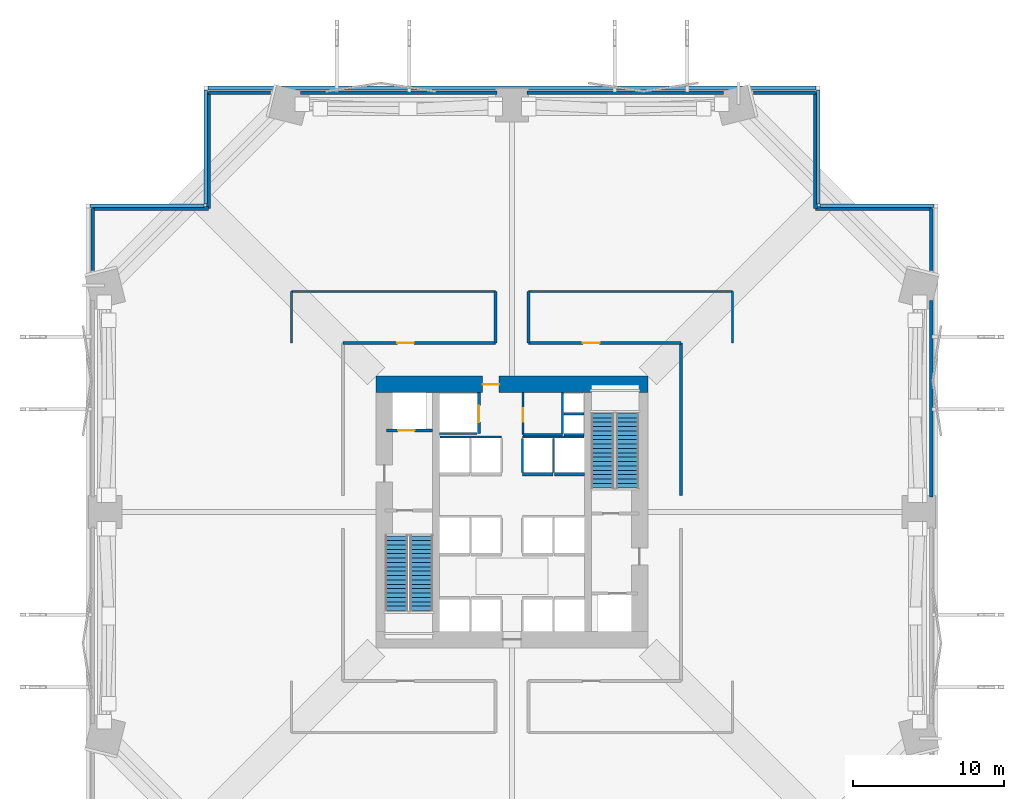
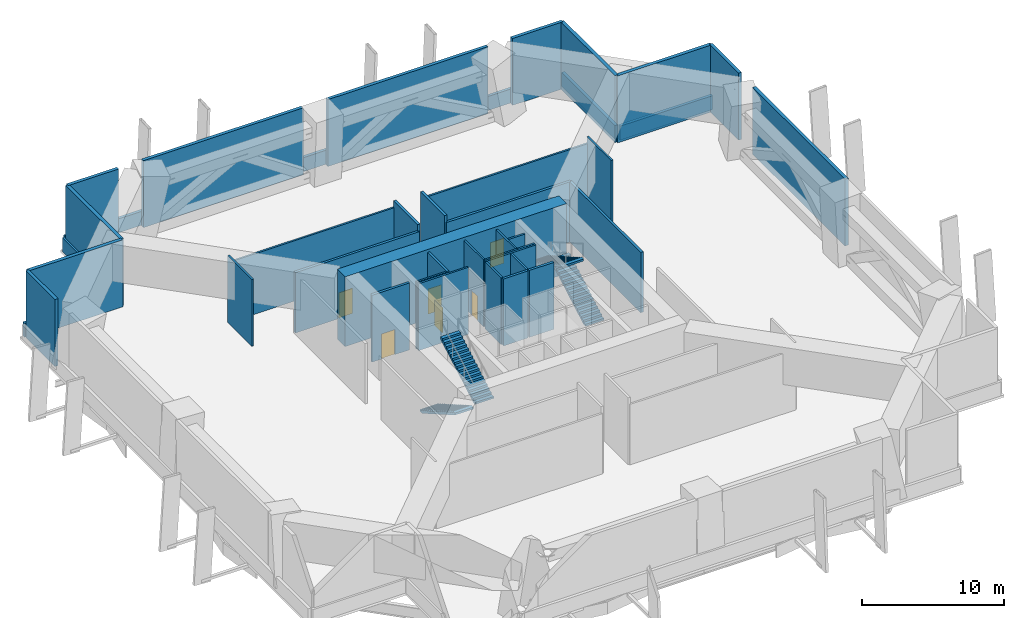
# One storey, part 4 of 6: 40 walls, 6 doors, 4 stair flights, 6 openings, 2 elements without a shape of their own.
"""IFC4 building model written with IfcOpenShell, lengths in metres."""

from ifc_helpers import new_model, si_unit, direction, frame, frame_2d, origin, place, context, subcontext, project, spatial, polyline, rectangle, outline, extrude, material, layer, layer_set, type_object, element, fill, aggregate, save


model = new_model("IFC4")

# Units and contexts
model_context = context("Model", 3, precision=1e-05, world=origin(), true_north=direction((0.0, 1.0)))
body_context = subcontext(model_context, "Body", "Model", "MODEL_VIEW")
ifc_project = project(units=[si_unit("LENGTHUNIT", "METRE"), si_unit("AREAUNIT", "SQUARE_METRE"), si_unit("VOLUMEUNIT", "CUBIC_METRE"), si_unit("PLANEANGLEUNIT", "RADIAN"), si_unit("MASSUNIT", "GRAM", prefix="KILO")], contexts=[model_context])

# Site, building, storey
site_placement = place(None, origin())
site = spatial("IfcSite", under=ifc_project, at=site_placement, CompositionType="ELEMENT")
building_placement = place(site_placement, origin())
building = spatial("IfcBuilding", under=site, at=building_placement, Name="Belovzor Exchange Tower", CompositionType="ELEMENT")
storey_placement = place(building_placement, frame((0.0, 0.0, 24.0)))
storey = spatial("IfcBuildingStorey", under=building, at=storey_placement, Name="L05", CompositionType="ELEMENT", Elevation=24.0)

# Wall, opening, door
ifc_material_1 = material(Name="Fire-Rated Gypsum Block and Mineral Wool", Category="gypsum")
ifc_layer_1 = layer(ifc_material_1, 0.14990234375)
ifc_layer_set_1 = layer_set([ifc_layer_1], Name="Fire-Rated Gypsum Block and Mineral Wool")
wall_type_1 = type_object("IfcWallType", Name="Fire-Rated Gypsum Block Corridor Wall 150", PredefinedType="PARTITIONING", material=ifc_layer_set_1)
wall_1_placement = place(storey_placement, frame((29.52490234375, 33.925048828125, 0.0), z_axis=(0.0, 0.0, 1.0), x_axis=(0.0, 1.0, 0.0)))
wall_1 = element("IfcWall", 1, at=wall_1_placement, inside=storey, type_object=wall_type_1, Name="W-P150 Partition Wall W-CRV-L05-W", PredefinedType="PARTITIONING", context=body_context, shape_type="SweptSolid", body=[
    extrude(rectangle(XDim=2.77490234375, YDim=0.14990234375, at=frame_2d((1.387451171875, 0.0))), origin(), (0.0, 0.0, 1.0), 5.75),
])
opening_1_placement = place(wall_1_placement, frame((0.85009765625, 0.0, 0.0)))
opening_1 = element("IfcOpeningElement", 2, at=opening_1_placement, cuts=wall_1, Name="Opening D-FD60-090", PredefinedType="OPENING", context=body_context, shape_type="SweptSolid", body=[
    extrude(rectangle(XDim=0.89990234375, YDim=2.10009765625, at=frame_2d((0.449951171875, 1.050048828125))), frame((0.0, 0.0849609375, 0.0), z_axis=(0.0, -1.0, 0.0), x_axis=(1.0, 0.0, 0.0)), (0.0, 0.0, 1.0), 0.169921875),
])
ifc_material_2 = material(Name="Acoustic Timber Fire Leaf", Category="wood")
door_type_1 = type_object("IfcDoorType", Name="Core Service & Restroom Fire Door 900x2100", OperationType="NOTDEFINED", PredefinedType="DOOR", material=ifc_material_2)
door_1_placement = place(opening_1_placement, origin())
door_1 = element("IfcDoor", 3, at=door_1_placement, inside=storey, type_object=door_type_1, Name="D-FD60-090 Core Service & Restroom Fire Door 900x2100", OperationType="SINGLE_SWING_LEFT", OverallHeight=2.10009765625, OverallWidth=0.89990234375, PredefinedType="DOOR", context=body_context, shape_type="SweptSolid", body=[
    extrude(rectangle(XDim=0.89990234375, YDim=2.10009765625, at=frame_2d((0.449951171875, 1.050048828125))), frame((0.0, 0.02490234375, 0.0), z_axis=(0.0, -1.0, 0.0), x_axis=(1.0, 0.0, 0.0)), (0.0, 0.0, 1.0), 0.050048828125),
])
fill(opening_1, door_1)

# Walls
wall_2_placement = place(storey_placement, frame((29.52490234375, 33.925048828125, 0.0), z_axis=(0.0, 0.0, 1.0), x_axis=(1.0, 0.0, 0.0)))
element("IfcWall", 4, at=wall_2_placement, inside=storey, type_object=wall_type_1, Name="W-P150 Partition Wall W-CRV-L05-S", PredefinedType="PARTITIONING", context=body_context, shape_type="SweptSolid", body=[
    extrude(rectangle(XDim=2.625, YDim=0.14990234375, at=frame_2d((1.3125, 0.0))), origin(), (0.0, 0.0, 1.0), 5.75),
])
wall_3_placement = place(storey_placement, frame((14.199951171875, 40.0, 0.0), z_axis=(0.0, 0.0, 1.0), x_axis=(0.0, 1.0, 0.0)))
element("IfcWall", 5, at=wall_3_placement, inside=storey, type_object=wall_type_1, Name="W-P150 Partition Wall W-L05-Q3W", PredefinedType="PARTITIONING", context=body_context, shape_type="SweptSolid", body=[
    extrude(rectangle(XDim=3.39990234375, YDim=0.14990234375, at=frame_2d((1.699951171875, 0.0))), origin(), (0.0, 0.0, 1.0), 5.75),
])
for number, where, z_axis, x_axis, name in (
    (6, (14.199951171875, 43.39990234375, 0.0), (0.0, 0.0, 1.0), (1.0, 0.0, 0.0), "W-P150 Partition Wall W-L05-Q3N"),
    (7, (29.89990234375, 43.39990234375, 0.0), (0.0, 0.0, 1.0), (1.0, 0.0, 0.0), "W-P150 Partition Wall W-L05-Q4N"),
):
    element("IfcWall", number, at=place(storey_placement, frame(where, z_axis=z_axis, x_axis=x_axis)), inside=storey, type_object=wall_type_1, Name=name, PredefinedType="PARTITIONING", context=body_context, shape_type="SweptSolid", body=[
        extrude(rectangle(XDim=13.5, YDim=0.14990234375, at=frame_2d((6.75, 0.0))), origin(), (0.0, 0.0, 1.0), 5.18505859375),
    ])
wall_4_placement = place(storey_placement, frame((43.39990234375, 40.0, 0.0), z_axis=(0.0, 0.0, 1.0), x_axis=(0.0, 1.0, 0.0)))
element("IfcWall", 8, at=wall_4_placement, inside=storey, type_object=wall_type_1, Name="W-P150 Partition Wall W-L05-Q4E", PredefinedType="PARTITIONING", context=body_context, shape_type="SweptSolid", body=[
    extrude(rectangle(XDim=3.39990234375, YDim=0.14990234375, at=frame_2d((1.699951171875, 0.0))), origin(), (0.0, 0.0, 1.0), 5.75),
])
ifc_material_3 = material(Name="Precast concrete C40/50", Category="concrete")
ifc_layer_2 = layer(ifc_material_3, 0.280029296875)
ifc_layer_set_2 = layer_set([ifc_layer_2], Name="Precast concrete C40/50")
wall_type_2 = type_object("IfcWallType", Name="Precast Concrete Notched Corner Frame Wall 280", PredefinedType="SOLIDWALL", material=ifc_layer_set_2)
wall_5_placement = place(storey_placement, frame((1.030029296875, 48.89990234375, 0.0), z_axis=(0.0, 0.0, 1.0), x_axis=(1.0, 0.0, 0.0)))
element("IfcWall", 9, at=wall_5_placement, inside=storey, type_object=wall_type_2, Name="W-CRN280 Precast Concrete Notched Corner Frame Wall 280 L05", PredefinedType="SOLIDWALL", context=body_context, shape_type="SweptSolid", body=[
    extrude(rectangle(XDim=7.669921875, YDim=0.280029296875, at=frame_2d((3.8349609375, 0.0))), origin(), (0.0, 0.0, 1.0), 5.75),
])
for number, where, z_axis, x_axis, name in (
    (10, (8.699951171875, 48.89990234375, 0.0), (0.0, 0.0, 1.0), (0.0, 1.0, 0.0), "W-CRN280 Precast Concrete Notched Corner Frame Wall 280 L05"),
    (11, (48.89990234375, 56.570068359375, 0.0), (0.0, 0.0, 1.0), (0.0, -1.0, 0.0), "W-CRN280 Precast Concrete Notched Corner Frame Wall 280 L05"),
    (12, (48.89990234375, 48.89990234375, 0.0), (0.0, 0.0, 1.0), (1.0, 0.0, 0.0), "W-CRN280 Precast Concrete Notched Corner Frame Wall 280 L05"),
):
    element("IfcWall", number, at=place(storey_placement, frame(where, z_axis=z_axis, x_axis=x_axis)), inside=storey, type_object=wall_type_2, Name=name, PredefinedType="SOLIDWALL", context=body_context, shape_type="SweptSolid", body=[
        extrude(rectangle(XDim=7.670166015625, YDim=0.280029296875, at=frame_2d((3.8349609375, 0.0))), origin(), (0.0, 0.0, 1.0), 5.75),
    ])
ifc_material_4 = material(Name="Precast concrete C40/50", Category="concrete")
ifc_layer_3 = layer(ifc_material_4, 0.260009765625)
ifc_layer_set_3 = layer_set([ifc_layer_3], Name="Precast concrete C40/50")
wall_type_3 = type_object("IfcWallType", Name="Precast Concrete Perimeter Loggia Frame Wall 260", PredefinedType="SOLIDWALL", material=ifc_layer_set_3)
wall_6_placement = place(storey_placement, frame((8.699951171875, 56.570068359375, 0.0), z_axis=(0.0, 0.0, 1.0), x_axis=(1.0, 0.0, 0.0)))
element("IfcWall", 13, at=wall_6_placement, inside=storey, type_object=wall_type_3, Name="W-EXT260 Precast Concrete Perimeter Loggia Frame Wall 260 L05", PredefinedType="SOLIDWALL", context=body_context, shape_type="SweptSolid", body=[
    extrude(rectangle(XDim=4.10009765625, YDim=0.260009765625, at=frame_2d((2.050048828125, 0.0))), origin(), (0.0, 0.0, 1.0), 5.75),
])
for number, where, z_axis, x_axis, name in (
    (14, (14.800048828125, 56.570068359375, 0.0), (0.0, 0.0, 1.0), (1.0, 0.0, 0.0), "W-EXT260 Precast Concrete Perimeter Loggia Frame Wall 260 L05"),
    (15, (29.800048828125, 56.570068359375, 0.0), (0.0, 0.0, 1.0), (1.0, 0.0, 0.0), "W-EXT260 Precast Concrete Perimeter Loggia Frame Wall 260 L05"),
):
    element("IfcWall", number, at=place(storey_placement, frame(where, z_axis=z_axis, x_axis=x_axis)), inside=storey, type_object=wall_type_3, Name=name, PredefinedType="SOLIDWALL", context=body_context, shape_type="SweptSolid", body=[
        extrude(rectangle(XDim=13.0, YDim=0.260009765625, at=frame_2d((6.5, 0.0))), origin(), (0.0, 0.0, 1.0), 5.75),
    ])
for number, where, z_axis, x_axis, name in (
    (16, (44.800048828125, 56.570068359375, 0.0), (0.0, 0.0, 1.0), (1.0, 0.0, 0.0), "W-EXT260 Precast Concrete Perimeter Loggia Frame Wall 260 L05"),
    (17, (1.030029296875, 44.800048828125, 0.0), (0.0, 0.0, 1.0), (0.0, 1.0, 0.0), "W-EXT260 Precast Concrete Perimeter Loggia Frame Wall 260 L05"),
):
    element("IfcWall", number, at=place(storey_placement, frame(where, z_axis=z_axis, x_axis=x_axis)), inside=storey, type_object=wall_type_3, Name=name, PredefinedType="SOLIDWALL", context=body_context, shape_type="SweptSolid", body=[
        extrude(rectangle(XDim=4.099853515625, YDim=0.260009765625, at=frame_2d((2.0498046875, 0.0))), origin(), (0.0, 0.0, 1.0), 5.75),
    ])
wall_7_placement = place(storey_placement, frame((56.570068359375, 42.800048828125, 0.0), z_axis=(0.0, 0.0, 1.0), x_axis=(0.0, -1.0, 0.0)))
element("IfcWall", 18, at=wall_7_placement, inside=storey, type_object=wall_type_3, Name="W-EXT260 Precast Concrete Perimeter Loggia Frame Wall 260 L05", PredefinedType="SOLIDWALL", context=body_context, shape_type="SweptSolid", body=[
    extrude(rectangle(XDim=13.0, YDim=0.260009765625, at=frame_2d((6.5, 0.0))), origin(), (0.0, 0.0, 1.0), 5.75),
])
wall_8_placement = place(storey_placement, frame((56.570068359375, 48.89990234375, 0.0), z_axis=(0.0, 0.0, 1.0), x_axis=(0.0, -1.0, 0.0)))
element("IfcWall", 19, at=wall_8_placement, inside=storey, type_object=wall_type_3, Name="W-EXT260 Precast Concrete Perimeter Loggia Frame Wall 260 L05", PredefinedType="SOLIDWALL", context=body_context, shape_type="SweptSolid", body=[
    extrude(rectangle(XDim=4.099853515625, YDim=0.260009765625, at=frame_2d((2.0498046875, 0.0))), origin(), (0.0, 0.0, 1.0), 5.75),
])
ifc_material_5 = material(Name="Precast concrete C40/50", Category="concrete")
ifc_layer_4 = layer(ifc_material_5, 0.239990234375)
ifc_layer_set_4 = layer_set([ifc_layer_4], Name="Precast concrete C40/50")
wall_type_4 = type_object("IfcWallType", Name="Precast Stone Setback Roof Parapet Wall 240", PredefinedType="PARAPET", material=ifc_layer_set_4)
for number, where, z_axis, x_axis, name in (
    (20, (56.7451171875, 49.080078125, 0.0), (0.0, 0.0, 1.0), (-1.0, 0.0, 0.0), "W-PAR240 Precast Stone Setback Roof Parapet Wall 240 L05"),
    (21, (49.080078125, 49.215087890625, 0.0), (0.0, 0.0, 1.0), (0.0, 1.0, 0.0), "W-PAR240 Precast Stone Setback Roof Parapet Wall 240 L05"),
):
    element("IfcWall", number, at=place(storey_placement, frame(where, z_axis=z_axis, x_axis=x_axis)), inside=storey, type_object=wall_type_4, Name=name, PredefinedType="PARAPET", context=body_context, shape_type="SweptSolid", body=[
        extrude(rectangle(XDim=7.530029296875, YDim=0.239990234375, at=frame_2d((3.76513671875, 0.0))), origin(), (0.0, 0.0, 1.0), 1.199951171875),
    ])
wall_9_placement = place(storey_placement, frame((48.945068359375, 56.8798828125, 0.0), z_axis=(0.0, 0.0, 1.0), x_axis=(-1.0, 0.0, 0.0)))
element("IfcWall", 22, at=wall_9_placement, inside=storey, type_object=wall_type_4, Name="W-PAR240 Precast Stone Setback Roof Parapet Wall 240 L05", PredefinedType="PARAPET", context=body_context, shape_type="SweptSolid", body=[
    extrude(rectangle(XDim=40.2900390625, YDim=0.239990234375, at=frame_2d((20.14501953125, 0.0))), origin(), (0.0, 0.0, 1.0), 1.199951171875),
])
for number, where, z_axis, x_axis, name in (
    (23, (8.52001953125, 56.7451171875, 0.0), (0.0, 0.0, 1.0), (0.0, -1.0, 0.0), "W-PAR240 Precast Stone Setback Roof Parapet Wall 240 L05"),
    (24, (8.385009765625, 49.080078125, 0.0), (0.0, 0.0, 1.0), (-1.0, 0.0, 0.0), "W-PAR240 Precast Stone Setback Roof Parapet Wall 240 L05"),
):
    element("IfcWall", number, at=place(storey_placement, frame(where, z_axis=z_axis, x_axis=x_axis)), inside=storey, type_object=wall_type_4, Name=name, PredefinedType="PARAPET", context=body_context, shape_type="SweptSolid", body=[
        extrude(rectangle(XDim=7.530029296875, YDim=0.239990234375, at=frame_2d((3.76513671875, 0.0))), origin(), (0.0, 0.0, 1.0), 1.199951171875),
    ])

# Wall, opening, door
ifc_material_6 = material(Name="Concrete C40/50", Category="concrete")
ifc_layer_5 = layer(ifc_material_6, 0.199951171875)
ifc_layer_set_5 = layer_set([ifc_layer_5], Name="Concrete C40/50")
wall_type_5 = type_object("IfcWallType", Name="Reinforced Concrete Compartment Wall 200", PredefinedType="PARTITIONING", material=ifc_layer_set_5)
wall_10_placement = place(storey_placement, frame((17.60009765625, 40.0, 0.0), z_axis=(0.0, 0.0, 1.0), x_axis=(1.0, 0.0, 0.0)))
wall_10 = element("IfcWall", 25, at=wall_10_placement, inside=storey, type_object=wall_type_5, Name="W-C200 Partition Wall W-L05-PCN", PredefinedType="PARTITIONING", context=body_context, shape_type="SweptSolid", body=[
    extrude(rectangle(XDim=10.099853515625, YDim=0.199951171875, at=frame_2d((5.0498046875, 0.0))), origin(), (0.0, 0.0, 1.0), 5.18505859375),
])
opening_2_placement = place(wall_10_placement, frame((3.60009765625, 0.0, 0.0)))
opening_2 = element("IfcOpeningElement", 26, at=opening_2_placement, cuts=wall_10, Name="Opening D-FD90-110", PredefinedType="OPENING", context=body_context, shape_type="SweptSolid", body=[
    extrude(rectangle(XDim=1.10009765625, YDim=2.14990234375, at=frame_2d((0.550048828125, 1.074951171875))), frame((0.0, 0.10986328125, 0.0), z_axis=(0.0, -1.0, 0.0), x_axis=(1.0, 0.0, 0.0)), (0.0, 0.0, 1.0), 0.219970703125),
])
ifc_material_7 = material(Name="Fire-Rated Galvanised Steel Leaf", Category="steel")
door_type_2 = type_object("IfcDoorType", Name="Protected Escape Vestibule Fire Door 1100x2150", OperationType="NOTDEFINED", PredefinedType="DOOR", material=ifc_material_7)
door_2_placement = place(opening_2_placement, origin())
door_2 = element("IfcDoor", 27, at=door_2_placement, inside=storey, type_object=door_type_2, Name="D-FD90-110 Protected Escape Vestibule Fire Door 1100x2150", OperationType="SINGLE_SWING_LEFT", OverallHeight=2.14990234375, OverallWidth=1.10009765625, PredefinedType="DOOR", context=body_context, shape_type="SweptSolid", body=[
    extrude(rectangle(XDim=1.10009765625, YDim=2.14990234375, at=frame_2d((0.550048828125, 1.074951171875))), frame((0.0, 0.02490234375, 0.0), z_axis=(0.0, -1.0, 0.0), x_axis=(1.0, 0.0, 0.0)), (0.0, 0.0, 1.0), 0.050048828125),
])
fill(opening_2, door_2)

wall_11_placement = place(storey_placement, frame((29.89990234375, 40.0, 0.0), z_axis=(0.0, 0.0, 1.0), x_axis=(1.0, 0.0, 0.0)))
wall_11 = element("IfcWall", 28, at=wall_11_placement, inside=storey, type_object=wall_type_5, Name="W-C200 Partition Wall W-L05-PCN2", PredefinedType="PARTITIONING", context=body_context, shape_type="SweptSolid", body=[
    extrude(rectangle(XDim=10.10009765625, YDim=0.199951171875, at=frame_2d((5.050048828125, 0.0))), origin(), (0.0, 0.0, 1.0), 5.18505859375),
])
opening_3_placement = place(wall_11_placement, frame((3.60009765625, 0.0, 0.0)))
opening_3 = element("IfcOpeningElement", 29, at=opening_3_placement, cuts=wall_11, Name="Opening D-FD90-110", PredefinedType="OPENING", context=body_context, shape_type="SweptSolid", body=[
    extrude(rectangle(XDim=1.10009765625, YDim=2.14990234375, at=frame_2d((0.550048828125, 1.074951171875))), frame((0.0, 0.10986328125, 0.0), z_axis=(0.0, -1.0, 0.0), x_axis=(1.0, 0.0, 0.0)), (0.0, 0.0, 1.0), 0.219970703125),
])
door_3_placement = place(opening_3_placement, origin())
door_3 = element("IfcDoor", 30, at=door_3_placement, inside=storey, type_object=door_type_2, Name="D-FD90-110 Protected Escape Vestibule Fire Door 1100x2150", OperationType="SINGLE_SWING_RIGHT", OverallHeight=2.14990234375, OverallWidth=1.10009765625, PredefinedType="DOOR", context=body_context, shape_type="SweptSolid", body=[
    extrude(rectangle(XDim=1.10009765625, YDim=2.14990234375, at=frame_2d((0.550048828125, 1.074951171875))), frame((0.0, 0.02490234375, 0.0), z_axis=(0.0, -1.0, 0.0), x_axis=(1.0, 0.0, 0.0)), (0.0, 0.0, 1.0), 0.050048828125),
])
fill(opening_3, door_3)

# Walls
wall_12_placement = place(storey_placement, frame((40.0, 29.89990234375, 0.0), z_axis=(0.0, 0.0, 1.0), x_axis=(0.0, 1.0, 0.0)))
element("IfcWall", 31, at=wall_12_placement, inside=storey, type_object=wall_type_5, Name="W-C200 Partition Wall W-L05-PCE2", PredefinedType="PARTITIONING", context=body_context, shape_type="SweptSolid", body=[
    extrude(rectangle(XDim=10.10009765625, YDim=0.199951171875, at=frame_2d((5.050048828125, 0.0))), origin(), (0.0, 0.0, 1.0), 5.18505859375),
])
for number, where, z_axis, x_axis, name in (
    (32, (27.699951171875, 40.0, 0.0), (0.0, 0.0, 1.0), (0.0, 1.0, 0.0), "W-C200 Partition Wall W-L05-Q3E"),
    (33, (29.89990234375, 40.0, 0.0), (0.0, 0.0, 1.0), (0.0, 1.0, 0.0), "W-C200 Partition Wall W-L05-Q4W"),
):
    element("IfcWall", number, at=place(storey_placement, frame(where, z_axis=z_axis, x_axis=x_axis)), inside=storey, type_object=wall_type_5, Name=name, PredefinedType="PARTITIONING", context=body_context, shape_type="SweptSolid", body=[
        extrude(rectangle(XDim=3.39990234375, YDim=0.199951171875, at=frame_2d((1.699951171875, 0.0))), origin(), (0.0, 0.0, 1.0), 5.75),
    ])
ifc_material_8 = material(Name="Concrete C50/60", Category="concrete")
ifc_layer_6 = layer(ifc_material_8, 0.14990234375)
ifc_layer_set_6 = layer_set([ifc_layer_6], Name="Concrete C50/60")
wall_type_6 = type_object("IfcWallType", Name="Reinforced Concrete Core Riser Shear Wall 150", PredefinedType="SHEAR", material=ifc_layer_set_6)
wall_13_placement = place(storey_placement, frame((32.14990234375, 34.0, 0.0), z_axis=(0.0, 0.0, 1.0), x_axis=(0.0, 1.0, 0.0)))
element("IfcWall", 34, at=wall_13_placement, inside=storey, type_object=wall_type_6, Name="W-C150S Core Shaft Wall W-RSR-L05-E", PredefinedType="SHEAR", context=body_context, shape_type="SweptSolid", body=[
    extrude(rectangle(XDim=2.699951171875, YDim=0.14990234375, at=frame_2d((1.35009765625, 0.0))), origin(), (0.0, 0.0, 1.0), 5.75),
])
for number, where, z_axis, x_axis, name in (
    (35, (32.25, 33.925048828125, 0.0), (0.0, 0.0, 1.0), (1.0, 0.0, 0.0), "W-C150S Core Shaft Wall W-RSR-L05-S"),
    (36, (32.25, 35.300048828125, 0.0), (0.0, 0.0, 1.0), (1.0, 0.0, 0.0), "W-C150S Core Shaft Wall W-RSR-L05-M"),
):
    element("IfcWall", number, at=place(storey_placement, frame(where, z_axis=z_axis, x_axis=x_axis)), inside=storey, type_object=wall_type_6, Name=name, PredefinedType="SHEAR", context=body_context, shape_type="SweptSolid", body=[
        extrude(rectangle(XDim=1.330078125, YDim=0.14990234375, at=frame_2d((0.6650390625, 0.0))), origin(), (0.0, 0.0, 1.0), 5.75),
    ])
wall_14_placement = place(storey_placement, frame((24.0, 34.0, 0.0), z_axis=(0.0, 0.0, 1.0), x_axis=(1.0, 0.0, 0.0)))
element("IfcWall", 37, at=wall_14_placement, inside=storey, type_object=wall_type_6, Name="W-C150S Core Shaft Wall W-SH-L05-SL-01S", PredefinedType="SHEAR", context=body_context, shape_type="SweptSolid", body=[
    extrude(rectangle(XDim=2.47998046875, YDim=0.14990234375, at=frame_2d((1.239990234375, 0.0))), origin(), (0.0, 0.0, 1.0), 5.75),
])
for number, where, z_axis, x_axis, name in (
    (38, (24.02001953125, 33.760009765625, 0.0), (0.0, 0.0, 1.0), (1.0, 0.0, 0.0), "W-C150S Core Shaft Wall W-SHB-L05-PLH-NW"),
    (39, (29.5, 33.760009765625, 0.0), (0.0, 0.0, 1.0), (1.0, 0.0, 0.0), "W-C150S Core Shaft Wall W-SHB-L05-PLH-NE"),
):
    element("IfcWall", number, at=place(storey_placement, frame(where, z_axis=z_axis, x_axis=x_axis)), inside=storey, type_object=wall_type_6, Name=name, PredefinedType="SHEAR", context=body_context, shape_type="SweptSolid", body=[
        extrude(rectangle(XDim=4.080078125, YDim=0.14990234375, at=frame_2d((2.0400390625, 0.0))), origin(), (0.0, 0.0, 1.0), 5.75),
    ])
for number, where, z_axis, x_axis, name in (
    (40, (29.5, 31.419921875, 0.0), (0.0, 0.0, 1.0), (0.0, 1.0, 0.0), "W-C150S Core Shaft Wall W-SHD-L05-PLH-3"),
    (41, (31.550048828125, 31.419921875, 0.0), (0.0, 0.0, 1.0), (0.0, 1.0, 0.0), "W-C150S Core Shaft Wall W-SHD-L05-PLH-4"),
):
    element("IfcWall", number, at=place(storey_placement, frame(where, z_axis=z_axis, x_axis=x_axis)), inside=storey, type_object=wall_type_6, Name=name, PredefinedType="SHEAR", context=body_context, shape_type="SweptSolid", body=[
        extrude(rectangle(XDim=2.239990234375, YDim=0.14990234375, at=frame_2d((1.1201171875, 0.0))), origin(), (0.0, 0.0, 1.0), 5.75),
    ])

# Wall, opening, door
ifc_material_9 = material(Name="Concrete C50/60", Category="concrete")
ifc_layer_7 = layer(ifc_material_9, 0.199951171875)
ifc_layer_set_7 = layer_set([ifc_layer_7], Name="Concrete C50/60")
wall_type_7 = type_object("IfcWallType", Name="Reinforced Concrete Core Shaft Shear Wall 200", PredefinedType="SHEAR", material=ifc_layer_set_7)
wall_15_placement = place(storey_placement, frame((20.5, 34.199951171875, 0.0), z_axis=(0.0, 0.0, 1.0), x_axis=(1.0, 0.0, 0.0)))
wall_15 = element("IfcWall", 42, at=wall_15_placement, inside=storey, type_object=wall_type_7, Name="W-C200S Core Shaft Wall W-SH-L05-FFL-01", PredefinedType="SHEAR", context=body_context, shape_type="SweptSolid", body=[
    extrude(rectangle(XDim=3.050048828125, YDim=0.199951171875, at=frame_2d((1.52490234375, 0.0))), origin(), (0.0, 0.0, 1.0), 5.75),
])
opening_4_placement = place(wall_15_placement, frame((0.75, 0.0, 0.0)))
opening_4 = element("IfcOpeningElement", 43, at=opening_4_placement, cuts=wall_15, Name="Opening LD-110", PredefinedType="OPENING", context=body_context, shape_type="SweptSolid", body=[
    extrude(rectangle(XDim=1.10009765625, YDim=2.14990234375, at=frame_2d((0.550048828125, 1.074951171875))), frame((0.0, 0.10986328125, 0.0), z_axis=(0.0, -1.0, 0.0), x_axis=(1.0, 0.0, 0.0)), (0.0, 0.0, 1.0), 0.219970703125),
])
ifc_material_10 = material(Name="Stainless Steel Grade 304", Category="steel")
door_type_3 = type_object("IfcDoorType", Name="Automated Stainless Steel Lift Landing Door 1100x2150", OperationType="SLIDING_TO_RIGHT", PredefinedType="DOOR", material=ifc_material_10)
door_4_placement = place(opening_4_placement, origin())
door_4 = element("IfcDoor", 44, at=door_4_placement, inside=storey, type_object=door_type_3, Name="LD-110 Automated Stainless Steel Lift Landing Door 1100x2150", OperationType="SLIDING_TO_RIGHT", OverallHeight=2.14990234375, OverallWidth=1.10009765625, PredefinedType="DOOR", context=body_context, shape_type="SweptSolid", body=[
    extrude(rectangle(XDim=1.10009765625, YDim=2.14990234375, at=frame_2d((0.550048828125, 1.074951171875))), frame((0.0, 0.02490234375, 0.0), z_axis=(0.0, -1.0, 0.0), x_axis=(1.0, 0.0, 0.0)), (0.0, 0.0, 1.0), 0.050048828125),
])
fill(opening_4, door_4)

wall_16_placement = place(storey_placement, frame((26.60009765625, 34.0, 0.0), z_axis=(0.0, 0.0, 1.0), x_axis=(0.0, 1.0, 0.0)))
wall_16 = element("IfcWall", 45, at=wall_16_placement, inside=storey, type_object=wall_type_7, Name="W-C200S Core Shaft Wall W-SH-L05-SL-01", PredefinedType="SHEAR", context=body_context, shape_type="SweptSolid", body=[
    extrude(rectangle(XDim=2.699951171875, YDim=0.199951171875, at=frame_2d((1.35009765625, 0.0))), origin(), (0.0, 0.0, 1.0), 5.75),
])
opening_5_placement = place(wall_16_placement, frame((0.75, 0.0, 0.0)))
opening_5 = element("IfcOpeningElement", 46, at=opening_5_placement, cuts=wall_16, Name="Opening LD-110", PredefinedType="OPENING", context=body_context, shape_type="SweptSolid", body=[
    extrude(rectangle(XDim=1.10009765625, YDim=2.14990234375, at=frame_2d((0.550048828125, 1.074951171875))), frame((0.0, 0.10986328125, 0.0), z_axis=(0.0, -1.0, 0.0), x_axis=(1.0, 0.0, 0.0)), (0.0, 0.0, 1.0), 0.219970703125),
])
door_5_placement = place(opening_5_placement, origin())
door_5 = element("IfcDoor", 47, at=door_5_placement, inside=storey, type_object=door_type_3, Name="LD-110 Automated Stainless Steel Lift Landing Door 1100x2150", OperationType="SLIDING_TO_RIGHT", OverallHeight=2.14990234375, OverallWidth=1.10009765625, PredefinedType="DOOR", context=body_context, shape_type="SweptSolid", body=[
    extrude(rectangle(XDim=1.10009765625, YDim=2.14990234375, at=frame_2d((0.550048828125, 1.074951171875))), frame((0.0, 0.02490234375, 0.0), z_axis=(0.0, -1.0, 0.0), x_axis=(1.0, 0.0, 0.0)), (0.0, 0.0, 1.0), 0.050048828125),
])
fill(opening_5, door_5)

# Walls
for number, where, z_axis, x_axis, name in (
    (48, (29.5, 31.300048828125, 0.0), (0.0, 0.0, 1.0), (1.0, 0.0, 0.0), "W-C200S Core Shaft Wall W-SH-L05-PL-H3"),
    (49, (31.60009765625, 31.300048828125, 0.0), (0.0, 0.0, 1.0), (1.0, 0.0, 0.0), "W-C200S Core Shaft Wall W-SH-L05-PL-H4"),
):
    element("IfcWall", number, at=place(storey_placement, frame(where, z_axis=z_axis, x_axis=x_axis)), inside=storey, type_object=wall_type_7, Name=name, PredefinedType="SHEAR", context=body_context, shape_type="SweptSolid", body=[
        extrude(rectangle(XDim=2.0, YDim=0.199951171875, at=frame_2d((1.0, 0.0))), origin(), (0.0, 0.0, 1.0), 5.75),
    ])

# Wall, opening, door
ifc_material_11 = material(Name="Concrete C60/75", Category="concrete")
ifc_layer_8 = layer(ifc_material_11, 1.10009765625)
ifc_layer_set_8 = layer_set([ifc_layer_8], Name="Concrete C60/75")
wall_type_8 = type_object("IfcWallType", Name="Reinforced Concrete Core Shear Wall 1100", PredefinedType="SHEAR", material=ifc_layer_set_8)
wall_17_placement = place(storey_placement, frame((19.800048828125, 37.25, 0.0), z_axis=(0.0, 0.0, 1.0), x_axis=(1.0, 0.0, 0.0)))
wall_17 = element("IfcWall", 50, at=wall_17_placement, inside=storey, type_object=wall_type_8, Name="CW-S110 Core Shear Wall L05 N", PredefinedType="SHEAR", context=body_context, shape_type="SweptSolid", body=[
    extrude(rectangle(XDim=18.0, YDim=1.10009765625, at=frame_2d((9.0, 0.0))), origin(), (0.0, 0.0, 1.0), 6.0),
])
opening_6_placement = place(wall_17_placement, frame((7.050048828125, 0.0, 0.0)))
opening_6 = element("IfcOpeningElement", 51, at=opening_6_placement, cuts=wall_17, Name="Opening D-FD90-110", PredefinedType="OPENING", context=body_context, shape_type="SweptSolid", body=[
    extrude(rectangle(XDim=1.10009765625, YDim=2.14990234375, at=frame_2d((0.550048828125, 1.074951171875))), frame((0.0, 0.56005859375, 0.0), z_axis=(0.0, -1.0, 0.0), x_axis=(1.0, 0.0, 0.0)), (0.0, 0.0, 1.0), 1.1201171875),
])
door_6_placement = place(opening_6_placement, origin())
door_6 = element("IfcDoor", 52, at=door_6_placement, inside=storey, type_object=door_type_2, Name="D-FD90-110 Protected Escape Vestibule Fire Door 1100x2150", OperationType="SINGLE_SWING_RIGHT", OverallHeight=2.14990234375, OverallWidth=1.10009765625, PredefinedType="DOOR", context=body_context, shape_type="SweptSolid", body=[
    extrude(rectangle(XDim=1.10009765625, YDim=2.14990234375, at=frame_2d((0.550048828125, 1.074951171875))), frame((0.0, 0.02490234375, 0.0), z_axis=(0.0, -1.0, 0.0), x_axis=(1.0, 0.0, 0.0)), (0.0, 0.0, 1.0), 0.050048828125),
])
fill(opening_6, door_6)

# Stair, stair flights
ifc_material_12 = material(Name="Concrete C40/50", Category="concrete")
stair_type = type_object("IfcStairType", Name="Reinforced Concrete Dogleg Escape Stair 1350", PredefinedType="HALF_TURN_STAIR", material=ifc_material_12)
stair_1_placement = place(storey_placement, origin())
stair_1 = element("IfcStair", 53, at=stair_1_placement, inside=storey, type_object=stair_type, Name="L05 ST-1", PredefinedType="HALF_TURN_STAIR")
ifc_material_13 = material(Name="Concrete C40/50", Category="concrete")
stair_flight_type = type_object("IfcStairFlightType", Name="Reinforced Concrete Stair Flight 1350", PredefinedType="STRAIGHT", material=ifc_material_13)
stair_flight_1_placement = place(storey_placement, frame((21.14990234375, 27.199951171875, 0.0), z_axis=(0.0, 0.0, 1.0), x_axis=(0.0, -1.0, 0.0)))
stair_flight_1 = element("IfcStairFlight", 54, at=stair_flight_1_placement, type_object=stair_flight_type, Name="ST-1 flight 1", NumberOfRisers=18, NumberOfTreads=17, PredefinedType="STRAIGHT", RiserHeight=0.166666667, TreadLength=0.29, context=body_context, shape_type="SweptSolid", body=[
    extrude(outline(polyline([(0.0, 0.0), (0.0, 0.166748046875), (0.2900390625, 0.166748046875), (0.2900390625, 0.333251953125), (0.580078125, 0.333251953125), (0.580078125, 0.5), (0.8701171875, 0.5), (0.8701171875, 0.666748046875), (1.159912109375, 0.666748046875), (1.159912109375, 0.833251953125), (1.449951171875, 0.833251953125), (1.449951171875, 1.0), (1.739990234375, 1.0), (1.739990234375, 1.166748046875), (2.030029296875, 1.166748046875), (2.030029296875, 1.333251953125), (2.320068359375, 1.333251953125), (2.320068359375, 1.5), (2.610107421875, 1.5), (2.610107421875, 1.666748046875), (2.89990234375, 1.666748046875), (2.89990234375, 1.833251953125), (3.18994140625, 1.833251953125), (3.18994140625, 2.0), (3.47998046875, 2.0), (3.47998046875, 2.166748046875), (3.77001953125, 2.166748046875), (3.77001953125, 2.333251953125), (4.06005859375, 2.333251953125), (4.06005859375, 2.5), (4.35009765625, 2.5), (4.35009765625, 2.666748046875), (4.639892578125, 2.666748046875), (4.639892578125, 2.833251953125), (4.929931640625, 2.833251953125), (4.929931640625, 3.0), (4.929931640625, 2.660400390625), (0.30078125, 0.0), (0.0, 0.0)])), frame((0.0, 0.75, 0.0), z_axis=(0.0, -1.0, 0.0), x_axis=(1.0, 0.0, 0.0)), (0.0, 0.0, 1.0), 1.5),
])
stair_flight_2_placement = place(storey_placement, frame((22.800048828125, 22.27001953125, 3.0), z_axis=(0.0, 0.0, 1.0), x_axis=(0.0, 1.0, 0.0)))
stair_flight_2 = element("IfcStairFlight", 55, at=stair_flight_2_placement, type_object=stair_flight_type, Name="ST-1 flight 2", NumberOfRisers=18, NumberOfTreads=17, PredefinedType="STRAIGHT", RiserHeight=0.166666667, TreadLength=0.29, context=body_context, shape_type="SweptSolid", body=[
    extrude(outline(polyline([(0.0, 0.0), (0.0, 0.166748046875), (0.2900390625, 0.166748046875), (0.2900390625, 0.333251953125), (0.580078125, 0.333251953125), (0.580078125, 0.5), (0.8701171875, 0.5), (0.8701171875, 0.666748046875), (1.159912109375, 0.666748046875), (1.159912109375, 0.833251953125), (1.449951171875, 0.833251953125), (1.449951171875, 1.0), (1.739990234375, 1.0), (1.739990234375, 1.166748046875), (2.030029296875, 1.166748046875), (2.030029296875, 1.333251953125), (2.320068359375, 1.333251953125), (2.320068359375, 1.5), (2.610107421875, 1.5), (2.610107421875, 1.666748046875), (2.89990234375, 1.666748046875), (2.89990234375, 1.833251953125), (3.18994140625, 1.833251953125), (3.18994140625, 2.0), (3.47998046875, 2.0), (3.47998046875, 2.166748046875), (3.77001953125, 2.166748046875), (3.77001953125, 2.333251953125), (4.06005859375, 2.333251953125), (4.06005859375, 2.5), (4.35009765625, 2.5), (4.35009765625, 2.666748046875), (4.639892578125, 2.666748046875), (4.639892578125, 2.833251953125), (4.929931640625, 2.833251953125), (4.929931640625, 3.0), (4.929931640625, 2.660400390625), (0.30078125, 0.0), (0.0, 0.0)])), frame((0.0, 0.75, 0.0), z_axis=(0.0, -1.0, 0.0), x_axis=(1.0, 0.0, 0.0)), (0.0, 0.0, 1.0), 1.5),
])
aggregate(stair_1, [stair_flight_1, stair_flight_2])

stair_2_placement = place(storey_placement, origin())
stair_2 = element("IfcStair", 56, at=stair_2_placement, inside=storey, type_object=stair_type, Name="L05 ST-2", PredefinedType="HALF_TURN_STAIR")
stair_flight_3_placement = place(storey_placement, frame((36.449951171875, 30.39990234375, 0.0), z_axis=(0.0, 0.0, 1.0), x_axis=(0.0, 1.0, 0.0)))
stair_flight_3 = element("IfcStairFlight", 57, at=stair_flight_3_placement, type_object=stair_flight_type, Name="ST-2 flight 1", NumberOfRisers=18, NumberOfTreads=17, PredefinedType="STRAIGHT", RiserHeight=0.166666667, TreadLength=0.29, context=body_context, shape_type="SweptSolid", body=[
    extrude(outline(polyline([(0.0, 0.0), (0.0, 0.166748046875), (0.2900390625, 0.166748046875), (0.2900390625, 0.333251953125), (0.580078125, 0.333251953125), (0.580078125, 0.5), (0.8701171875, 0.5), (0.8701171875, 0.666748046875), (1.159912109375, 0.666748046875), (1.159912109375, 0.833251953125), (1.449951171875, 0.833251953125), (1.449951171875, 1.0), (1.739990234375, 1.0), (1.739990234375, 1.166748046875), (2.030029296875, 1.166748046875), (2.030029296875, 1.333251953125), (2.320068359375, 1.333251953125), (2.320068359375, 1.5), (2.610107421875, 1.5), (2.610107421875, 1.666748046875), (2.89990234375, 1.666748046875), (2.89990234375, 1.833251953125), (3.18994140625, 1.833251953125), (3.18994140625, 2.0), (3.47998046875, 2.0), (3.47998046875, 2.166748046875), (3.77001953125, 2.166748046875), (3.77001953125, 2.333251953125), (4.06005859375, 2.333251953125), (4.06005859375, 2.5), (4.35009765625, 2.5), (4.35009765625, 2.666748046875), (4.639892578125, 2.666748046875), (4.639892578125, 2.833251953125), (4.929931640625, 2.833251953125), (4.929931640625, 3.0), (4.929931640625, 2.660400390625), (0.30078125, 0.0), (0.0, 0.0)])), frame((0.0, 0.75, 0.0), z_axis=(0.0, -1.0, 0.0), x_axis=(1.0, 0.0, 0.0)), (0.0, 0.0, 1.0), 1.5),
])
stair_flight_4_placement = place(storey_placement, frame((34.800048828125, 35.330078125, 3.0), z_axis=(0.0, 0.0, 1.0), x_axis=(0.0, -1.0, 0.0)))
stair_flight_4 = element("IfcStairFlight", 58, at=stair_flight_4_placement, type_object=stair_flight_type, Name="ST-2 flight 2", NumberOfRisers=18, NumberOfTreads=17, PredefinedType="STRAIGHT", RiserHeight=0.166666667, TreadLength=0.29, context=body_context, shape_type="SweptSolid", body=[
    extrude(outline(polyline([(0.0, 0.0), (0.0, 0.166748046875), (0.2900390625, 0.166748046875), (0.2900390625, 0.333251953125), (0.580078125, 0.333251953125), (0.580078125, 0.5), (0.8701171875, 0.5), (0.8701171875, 0.666748046875), (1.159912109375, 0.666748046875), (1.159912109375, 0.833251953125), (1.449951171875, 0.833251953125), (1.449951171875, 1.0), (1.739990234375, 1.0), (1.739990234375, 1.166748046875), (2.030029296875, 1.166748046875), (2.030029296875, 1.333251953125), (2.320068359375, 1.333251953125), (2.320068359375, 1.5), (2.610107421875, 1.5), (2.610107421875, 1.666748046875), (2.89990234375, 1.666748046875), (2.89990234375, 1.833251953125), (3.18994140625, 1.833251953125), (3.18994140625, 2.0), (3.47998046875, 2.0), (3.47998046875, 2.166748046875), (3.77001953125, 2.166748046875), (3.77001953125, 2.333251953125), (4.06005859375, 2.333251953125), (4.06005859375, 2.5), (4.35009765625, 2.5), (4.35009765625, 2.666748046875), (4.639892578125, 2.666748046875), (4.639892578125, 2.833251953125), (4.929931640625, 2.833251953125), (4.929931640625, 3.0), (4.929931640625, 2.660400390625), (0.30078125, 0.0), (0.0, 0.0)])), frame((0.0, 0.75, 0.0), z_axis=(0.0, -1.0, 0.0), x_axis=(1.0, 0.0, 0.0)), (0.0, 0.0, 1.0), 1.5),
])
aggregate(stair_2, [stair_flight_3, stair_flight_4])

save(model, "model.ifc")
